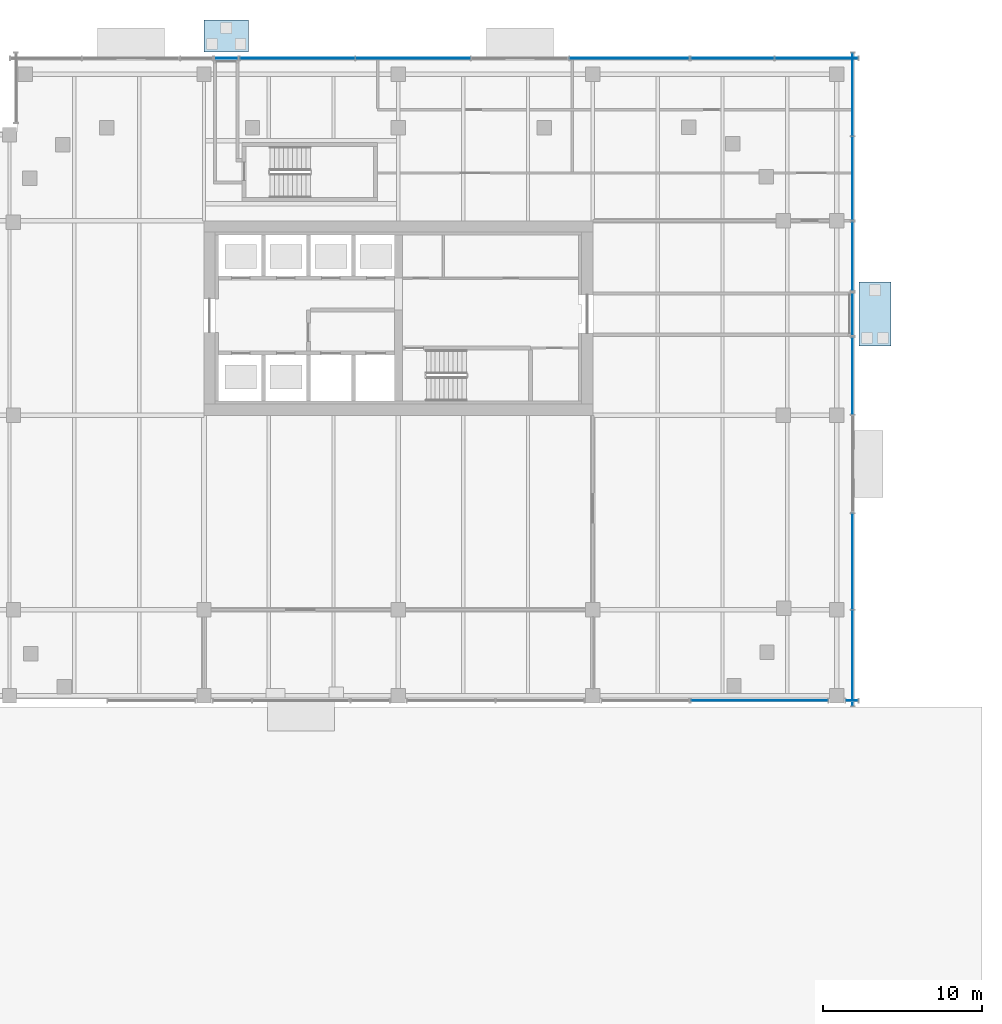
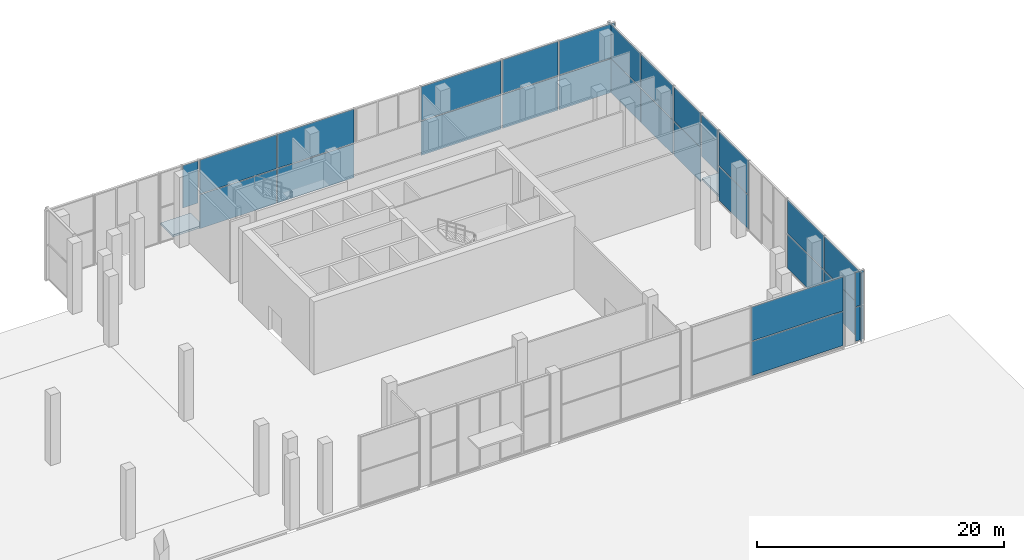
# One storey, part 16 of 36: 28 plates, 2 slabs, 11 elements without a shape of their own.
"""IFC4 building model written with IfcOpenShell, lengths in metres."""

from ifc_helpers import new_model, si_unit, direction, frame, origin, origin_2d, place, context, subcontext, project, spatial, polyline, rectangle, outline, extrude, material, layer, layer_set, type_object, element, aggregate, save


model = new_model("IFC4")

# Units and contexts
model_context = context("Model", 3, precision=1e-05, world=origin(), true_north=direction((0.0, 1.0)))
body_context = subcontext(model_context, "Body", "Model", "MODEL_VIEW")
ifc_project = project(units=[si_unit("LENGTHUNIT", "METRE"), si_unit("AREAUNIT", "SQUARE_METRE"), si_unit("VOLUMEUNIT", "CUBIC_METRE"), si_unit("PLANEANGLEUNIT", "RADIAN"), si_unit("MASSUNIT", "GRAM", prefix="KILO")], contexts=[model_context])

# Site, building, storey
site_placement = place(None, origin())
site = spatial("IfcSite", under=ifc_project, at=site_placement, CompositionType="ELEMENT")
building_placement = place(site_placement, origin())
building = spatial("IfcBuilding", under=site, at=building_placement, Name="Tessera Gate Towers", CompositionType="ELEMENT")
storey_placement = place(building_placement, origin())
storey = spatial("IfcBuildingStorey", under=building, at=storey_placement, Name="L00", CompositionType="ELEMENT", Elevation=0.0)

# Slabs
ifc_material_1 = material(Name="Concrete C30/37", Category="concrete")
ifc_layer_1 = layer(ifc_material_1, 0.199951171875)
ifc_layer_set_1 = layer_set([ifc_layer_1], Name="PLAZA PAVING 200")
slab_type = type_object("IfcSlabType", Name="PLAZA PAVING 200", PredefinedType="USERDEFINED", material=ifc_layer_set_1)
slab_1_placement = place(storey_placement, frame((0.0, 0.0, -0.199951171875)))
element("IfcSlab", 1, at=slab_1_placement, inside=storey, type_object=slab_type, Name="Plaza paving", ObjectType="PAVING", PredefinedType="USERDEFINED", context=body_context, shape_type="SweptSolid", body=[
    extrude(outline(polyline([(97.60009765625, 59.39990234375), (100.39990234375, 59.39990234375), (100.39990234375, 61.39990234375), (97.60009765625, 61.39990234375), (97.60009765625, 59.39990234375)])), origin(), (0.0, 0.0, 1.0), 0.199951171875),
])
slab_2_placement = place(storey_placement, frame((0.0, 0.0, -0.199951171875)))
element("IfcSlab", 2, at=slab_2_placement, inside=storey, type_object=slab_type, Name="Plaza paving", ObjectType="PAVING", PredefinedType="USERDEFINED", context=body_context, shape_type="SweptSolid", body=[
    extrude(outline(polyline([(138.699951171875, 40.949951171875), (140.699951171875, 40.949951171875), (140.699951171875, 44.949951171875), (138.699951171875, 44.949951171875), (138.699951171875, 40.949951171875)])), origin(), (0.0, 0.0, 1.0), 0.199951171875),
])

# Curtain wall, plates
ifc_material_2 = material(Name="Aluminium frame", Category="aluminium")
curtain_wall_type = type_object("IfcCurtainWallType", Name="CW-S6 ground floor glazing", PredefinedType="NOTDEFINED", material=ifc_material_2)
curtain_wall_1_placement = place(storey_placement, origin())
curtain_wall_1 = element("IfcCurtainWall", 3, at=curtain_wall_1_placement, inside=storey, type_object=curtain_wall_type, Name="Curtain wall ground floor glazing 0169", PredefinedType="NOTDEFINED")
ifc_material_3 = material(Name="Low-e laminated glass", Category="glass")
ifc_layer_2 = layer(ifc_material_3, 0.035888671875)
ifc_layer_set_2 = layer_set([ifc_layer_2], Name="PN-S6 glass panel 36")
plate_type = type_object("IfcPlateType", Name="PN-S6 glass panel 36", PredefinedType="CURTAIN_PANEL", material=ifc_layer_set_2)
plate_1_placement = place(storey_placement, frame((132.455078125, 18.699951171875, 0.080078125), z_axis=(0.0, 0.0, 1.0), x_axis=(1.0, 0.0, 0.0)))
plate_1 = element("IfcPlate", 4, at=plate_1_placement, type_object=plate_type, Name="PD-CW6-0169 panel 1.1", PredefinedType="CURTAIN_PANEL", context=body_context, shape_type="SweptSolid", body=[
    extrude(rectangle(XDim=8.550048828125, YDim=0.035888671875, at=origin_2d()), origin(), (0.0, 0.0, 1.0), 3.35498046875),
])
plate_2_placement = place(storey_placement, frame((132.455078125, 18.699951171875, 3.514892578125), z_axis=(0.0, 0.0, 1.0), x_axis=(1.0, 0.0, 0.0)))
plate_2 = element("IfcPlate", 5, at=plate_2_placement, type_object=plate_type, Name="PD-CW6-0169 panel 1.2", PredefinedType="CURTAIN_PANEL", context=body_context, shape_type="SweptSolid", body=[
    extrude(rectangle(XDim=8.550048828125, YDim=0.035888671875, at=origin_2d()), origin(), (0.0, 0.0, 1.0), 3.35498046875),
])
aggregate(curtain_wall_1, [plate_1, plate_2])

curtain_wall_2_placement = place(storey_placement, origin())
curtain_wall_2 = element("IfcCurtainWall", 6, at=curtain_wall_2_placement, inside=storey, type_object=curtain_wall_type, Name="Curtain wall ground floor glazing 0170", PredefinedType="NOTDEFINED")
plate_3_placement = place(storey_placement, frame((138.2451171875, 18.699951171875, 0.080078125), z_axis=(0.0, 0.0, 1.0), x_axis=(1.0, 0.0, 0.0)))
plate_3 = element("IfcPlate", 7, at=plate_3_placement, type_object=plate_type, Name="PD-CW6-0170 panel 1.1", PredefinedType="CURTAIN_PANEL", context=body_context, shape_type="SweptSolid", body=[
    extrude(rectangle(XDim=0.75, YDim=0.035888671875, at=origin_2d()), origin(), (0.0, 0.0, 1.0), 3.35498046875),
])
plate_4_placement = place(storey_placement, frame((138.2451171875, 18.699951171875, 3.514892578125), z_axis=(0.0, 0.0, 1.0), x_axis=(1.0, 0.0, 0.0)))
plate_4 = element("IfcPlate", 8, at=plate_4_placement, type_object=plate_type, Name="PD-CW6-0170 panel 1.2", PredefinedType="CURTAIN_PANEL", context=body_context, shape_type="SweptSolid", body=[
    extrude(rectangle(XDim=0.75, YDim=0.035888671875, at=origin_2d()), origin(), (0.0, 0.0, 1.0), 3.35498046875),
])
aggregate(curtain_wall_2, [plate_3, plate_4])

curtain_wall_3_placement = place(storey_placement, origin())
curtain_wall_3 = element("IfcCurtainWall", 9, at=curtain_wall_3_placement, inside=storey, type_object=curtain_wall_type, Name="Curtain wall ground floor glazing 0175", PredefinedType="NOTDEFINED")
plate_5_placement = place(storey_placement, frame((138.300048828125, 21.3701171875, 0.080078125), z_axis=(0.0, 0.0, 1.0), x_axis=(0.0, 1.0, 0.0)))
plate_5 = element("IfcPlate", 10, at=plate_5_placement, type_object=plate_type, Name="PD-CW6-0175 panel 1.1", PredefinedType="CURTAIN_PANEL", context=body_context, shape_type="SweptSolid", body=[
    extrude(rectangle(XDim=5.97998046875, YDim=0.035888671875, at=origin_2d()), origin(), (0.0, 0.0, 1.0), 3.35498046875),
])
plate_6_placement = place(storey_placement, frame((138.300048828125, 21.3701171875, 3.514892578125), z_axis=(0.0, 0.0, 1.0), x_axis=(0.0, 1.0, 0.0)))
plate_6 = element("IfcPlate", 11, at=plate_6_placement, type_object=plate_type, Name="PD-CW6-0175 panel 1.2", PredefinedType="CURTAIN_PANEL", context=body_context, shape_type="SweptSolid", body=[
    extrude(rectangle(XDim=5.97998046875, YDim=0.035888671875, at=origin_2d()), origin(), (0.0, 0.0, 1.0), 3.35498046875),
])
plate_7_placement = place(storey_placement, frame((138.300048828125, 27.429931640625, 0.080078125), z_axis=(0.0, 0.0, 1.0), x_axis=(0.0, 1.0, 0.0)))
plate_7 = element("IfcPlate", 12, at=plate_7_placement, type_object=plate_type, Name="PD-CW6-0175 panel 2.1", PredefinedType="CURTAIN_PANEL", context=body_context, shape_type="SweptSolid", body=[
    extrude(rectangle(XDim=5.97998046875, YDim=0.035888671875, at=origin_2d()), origin(), (0.0, 0.0, 1.0), 3.35498046875),
])
plate_8_placement = place(storey_placement, frame((138.300048828125, 27.429931640625, 3.514892578125), z_axis=(0.0, 0.0, 1.0), x_axis=(0.0, 1.0, 0.0)))
plate_8 = element("IfcPlate", 13, at=plate_8_placement, type_object=plate_type, Name="PD-CW6-0175 panel 2.2", PredefinedType="CURTAIN_PANEL", context=body_context, shape_type="SweptSolid", body=[
    extrude(rectangle(XDim=5.97998046875, YDim=0.035888671875, at=origin_2d()), origin(), (0.0, 0.0, 1.0), 3.35498046875),
])
aggregate(curtain_wall_3, [plate_5, plate_6, plate_7, plate_8])

curtain_wall_4_placement = place(storey_placement, origin())
curtain_wall_4 = element("IfcCurtainWall", 14, at=curtain_wall_4_placement, inside=storey, type_object=curtain_wall_type, Name="Curtain wall ground floor glazing 0176", PredefinedType="NOTDEFINED")
plate_9_placement = place(storey_placement, frame((138.300048828125, 39.074951171875, 0.080078125), z_axis=(0.0, 0.0, 1.0), x_axis=(0.0, 1.0, 0.0)))
plate_9 = element("IfcPlate", 15, at=plate_9_placement, type_object=plate_type, Name="PD-CW6-0176 panel 1.1", PredefinedType="CURTAIN_PANEL", context=body_context, shape_type="SweptSolid", body=[
    extrude(rectangle(XDim=4.7900390625, YDim=0.035888671875, at=origin_2d()), origin(), (0.0, 0.0, 1.0), 3.35498046875),
])
plate_10_placement = place(storey_placement, frame((138.300048828125, 39.074951171875, 3.514892578125), z_axis=(0.0, 0.0, 1.0), x_axis=(0.0, 1.0, 0.0)))
plate_10 = element("IfcPlate", 16, at=plate_10_placement, type_object=plate_type, Name="PD-CW6-0176 panel 1.2", PredefinedType="CURTAIN_PANEL", context=body_context, shape_type="SweptSolid", body=[
    extrude(rectangle(XDim=4.7900390625, YDim=0.035888671875, at=origin_2d()), origin(), (0.0, 0.0, 1.0), 3.35498046875),
])
aggregate(curtain_wall_4, [plate_9, plate_10])

# Curtain wall, plate
curtain_wall_5_placement = place(storey_placement, origin())
curtain_wall_5 = element("IfcCurtainWall", 17, at=curtain_wall_5_placement, inside=storey, type_object=curtain_wall_type, Name="Curtain wall ground floor glazing 0177", PredefinedType="NOTDEFINED")
plate_11_placement = place(storey_placement, frame((138.300048828125, 42.949951171875, 2.679931640625), z_axis=(0.0, 0.0, 1.0), x_axis=(0.0, 1.0, 0.0)))
plate_11 = element("IfcPlate", 18, at=plate_11_placement, type_object=plate_type, Name="PD-CW6-0177 panel 1.1", PredefinedType="CURTAIN_PANEL", context=body_context, shape_type="SweptSolid", body=[
    extrude(rectangle(XDim=2.639892578125, YDim=0.035888671875, at=origin_2d()), origin(), (0.0, 0.0, 1.0), 4.18994140625),
])
aggregate(curtain_wall_5, [plate_11])

# Curtain wall, plates
curtain_wall_6_placement = place(storey_placement, origin())
curtain_wall_6 = element("IfcCurtainWall", 19, at=curtain_wall_6_placement, inside=storey, type_object=curtain_wall_type, Name="Curtain wall ground floor glazing 0178", PredefinedType="NOTDEFINED")
plate_12_placement = place(storey_placement, frame((138.300048828125, 46.574951171875, 0.080078125), z_axis=(0.0, 0.0, 1.0), x_axis=(0.0, 1.0, 0.0)))
plate_12 = element("IfcPlate", 20, at=plate_12_placement, type_object=plate_type, Name="PD-CW6-0178 panel 1.1", PredefinedType="CURTAIN_PANEL", context=body_context, shape_type="SweptSolid", body=[
    extrude(rectangle(XDim=4.2900390625, YDim=0.035888671875, at=origin_2d()), origin(), (0.0, 0.0, 1.0), 3.35498046875),
])
plate_13_placement = place(storey_placement, frame((138.300048828125, 46.574951171875, 3.514892578125), z_axis=(0.0, 0.0, 1.0), x_axis=(0.0, 1.0, 0.0)))
plate_13 = element("IfcPlate", 21, at=plate_13_placement, type_object=plate_type, Name="PD-CW6-0178 panel 1.2", PredefinedType="CURTAIN_PANEL", context=body_context, shape_type="SweptSolid", body=[
    extrude(rectangle(XDim=4.2900390625, YDim=0.035888671875, at=origin_2d()), origin(), (0.0, 0.0, 1.0), 3.35498046875),
])
aggregate(curtain_wall_6, [plate_12, plate_13])

curtain_wall_7_placement = place(storey_placement, origin())
curtain_wall_7 = element("IfcCurtainWall", 22, at=curtain_wall_7_placement, inside=storey, type_object=curtain_wall_type, Name="Curtain wall ground floor glazing 0181", PredefinedType="NOTDEFINED")
plate_14_placement = place(storey_placement, frame((138.300048828125, 51.469970703125, 0.080078125), z_axis=(0.0, 0.0, 1.0), x_axis=(0.0, 1.0, 0.0)))
plate_14 = element("IfcPlate", 23, at=plate_14_placement, type_object=plate_type, Name="PD-CW6-0181 panel 1.1", PredefinedType="CURTAIN_PANEL", context=body_context, shape_type="SweptSolid", body=[
    extrude(rectangle(XDim=5.179931640625, YDim=0.035888671875, at=origin_2d()), origin(), (0.0, 0.0, 1.0), 3.35498046875),
])
plate_15_placement = place(storey_placement, frame((138.300048828125, 51.469970703125, 3.514892578125), z_axis=(0.0, 0.0, 1.0), x_axis=(0.0, 1.0, 0.0)))
plate_15 = element("IfcPlate", 24, at=plate_15_placement, type_object=plate_type, Name="PD-CW6-0181 panel 1.2", PredefinedType="CURTAIN_PANEL", context=body_context, shape_type="SweptSolid", body=[
    extrude(rectangle(XDim=5.179931640625, YDim=0.035888671875, at=origin_2d()), origin(), (0.0, 0.0, 1.0), 3.35498046875),
])
plate_16_placement = place(storey_placement, frame((138.300048828125, 56.72998046875, 0.080078125), z_axis=(0.0, 0.0, 1.0), x_axis=(0.0, 1.0, 0.0)))
plate_16 = element("IfcPlate", 25, at=plate_16_placement, type_object=plate_type, Name="PD-CW6-0181 panel 2.1", PredefinedType="CURTAIN_PANEL", context=body_context, shape_type="SweptSolid", body=[
    extrude(rectangle(XDim=5.179931640625, YDim=0.035888671875, at=origin_2d()), origin(), (0.0, 0.0, 1.0), 3.35498046875),
])
plate_17_placement = place(storey_placement, frame((138.300048828125, 56.72998046875, 3.514892578125), z_axis=(0.0, 0.0, 1.0), x_axis=(0.0, 1.0, 0.0)))
plate_17 = element("IfcPlate", 26, at=plate_17_placement, type_object=plate_type, Name="PD-CW6-0181 panel 2.2", PredefinedType="CURTAIN_PANEL", context=body_context, shape_type="SweptSolid", body=[
    extrude(rectangle(XDim=5.179931640625, YDim=0.035888671875, at=origin_2d()), origin(), (0.0, 0.0, 1.0), 3.35498046875),
])
aggregate(curtain_wall_7, [plate_14, plate_15, plate_16, plate_17])

curtain_wall_8_placement = place(storey_placement, origin())
curtain_wall_8 = element("IfcCurtainWall", 27, at=curtain_wall_8_placement, inside=storey, type_object=curtain_wall_type, Name="Curtain wall ground floor glazing 0184", PredefinedType="NOTDEFINED")
plate_18_placement = place(storey_placement, frame((136.030029296875, 59.0, 0.080078125), z_axis=(0.0, 0.0, 1.0), x_axis=(-1.0, 0.0, 0.0)))
plate_18 = element("IfcPlate", 28, at=plate_18_placement, type_object=plate_type, Name="PD-CW6-0184 panel 1.1", PredefinedType="CURTAIN_PANEL", context=body_context, shape_type="SweptSolid", body=[
    extrude(rectangle(XDim=5.179931640625, YDim=0.035888671875, at=origin_2d()), origin(), (0.0, 0.0, 1.0), 3.35498046875),
])
plate_19_placement = place(storey_placement, frame((136.030029296875, 59.0, 3.514892578125), z_axis=(0.0, 0.0, 1.0), x_axis=(-1.0, 0.0, 0.0)))
plate_19 = element("IfcPlate", 29, at=plate_19_placement, type_object=plate_type, Name="PD-CW6-0184 panel 1.2", PredefinedType="CURTAIN_PANEL", context=body_context, shape_type="SweptSolid", body=[
    extrude(rectangle(XDim=5.179931640625, YDim=0.035888671875, at=origin_2d()), origin(), (0.0, 0.0, 1.0), 3.35498046875),
])
plate_20_placement = place(storey_placement, frame((130.77001953125, 59.0, 0.080078125), z_axis=(0.0, 0.0, 1.0), x_axis=(-1.0, 0.0, 0.0)))
plate_20 = element("IfcPlate", 30, at=plate_20_placement, type_object=plate_type, Name="PD-CW6-0184 panel 2.1", PredefinedType="CURTAIN_PANEL", context=body_context, shape_type="SweptSolid", body=[
    extrude(rectangle(XDim=5.179931640625, YDim=0.035888671875, at=origin_2d()), origin(), (0.0, 0.0, 1.0), 3.35498046875),
])
plate_21_placement = place(storey_placement, frame((130.77001953125, 59.0, 3.514892578125), z_axis=(0.0, 0.0, 1.0), x_axis=(-1.0, 0.0, 0.0)))
plate_21 = element("IfcPlate", 31, at=plate_21_placement, type_object=plate_type, Name="PD-CW6-0184 panel 2.2", PredefinedType="CURTAIN_PANEL", context=body_context, shape_type="SweptSolid", body=[
    extrude(rectangle(XDim=5.179931640625, YDim=0.035888671875, at=origin_2d()), origin(), (0.0, 0.0, 1.0), 3.35498046875),
])
aggregate(curtain_wall_8, [plate_18, plate_19, plate_20, plate_21])

curtain_wall_9_placement = place(storey_placement, origin())
curtain_wall_9 = element("IfcCurtainWall", 32, at=curtain_wall_9_placement, inside=storey, type_object=curtain_wall_type, Name="Curtain wall ground floor glazing 0187", PredefinedType="NOTDEFINED")
plate_22_placement = place(storey_placement, frame((124.28759765625, 59.0, 0.080078125), z_axis=(0.0, 0.0, 1.0), x_axis=(-1.0, 0.0, 0.0)))
plate_22 = element("IfcPlate", 33, at=plate_22_placement, type_object=plate_type, Name="PD-CW6-0187 panel 1.1", PredefinedType="CURTAIN_PANEL", context=body_context, shape_type="SweptSolid", body=[
    extrude(rectangle(XDim=7.465087890625, YDim=0.035888671875, at=origin_2d()), origin(), (0.0, 0.0, 1.0), 3.35498046875),
])
plate_23_placement = place(storey_placement, frame((124.28759765625, 59.0, 3.514892578125), z_axis=(0.0, 0.0, 1.0), x_axis=(-1.0, 0.0, 0.0)))
plate_23 = element("IfcPlate", 34, at=plate_23_placement, type_object=plate_type, Name="PD-CW6-0187 panel 1.2", PredefinedType="CURTAIN_PANEL", context=body_context, shape_type="SweptSolid", body=[
    extrude(rectangle(XDim=7.465087890625, YDim=0.035888671875, at=origin_2d()), origin(), (0.0, 0.0, 1.0), 3.35498046875),
])
aggregate(curtain_wall_9, [plate_22, plate_23])

curtain_wall_10_placement = place(storey_placement, origin())
curtain_wall_10 = element("IfcCurtainWall", 35, at=curtain_wall_10_placement, inside=storey, type_object=curtain_wall_type, Name="Curtain wall ground floor glazing 0188", PredefinedType="NOTDEFINED")
plate_24_placement = place(storey_placement, frame((110.711181640625, 59.0, 0.080078125), z_axis=(0.0, 0.0, 1.0), x_axis=(-1.0, 0.0, 0.0)))
plate_24 = element("IfcPlate", 36, at=plate_24_placement, type_object=plate_type, Name="PD-CW6-0188 panel 1.1", PredefinedType="CURTAIN_PANEL", context=body_context, shape_type="SweptSolid", body=[
    extrude(rectangle(XDim=7.16748046875, YDim=0.035888671875, at=origin_2d()), origin(), (0.0, 0.0, 1.0), 3.35498046875),
])
plate_25_placement = place(storey_placement, frame((110.711181640625, 59.0, 3.514892578125), z_axis=(0.0, 0.0, 1.0), x_axis=(-1.0, 0.0, 0.0)))
plate_25 = element("IfcPlate", 37, at=plate_25_placement, type_object=plate_type, Name="PD-CW6-0188 panel 1.2", PredefinedType="CURTAIN_PANEL", context=body_context, shape_type="SweptSolid", body=[
    extrude(rectangle(XDim=7.16748046875, YDim=0.035888671875, at=origin_2d()), origin(), (0.0, 0.0, 1.0), 3.35498046875),
])
plate_26_placement = place(storey_placement, frame((103.4638671875, 59.0, 0.080078125), z_axis=(0.0, 0.0, 1.0), x_axis=(-1.0, 0.0, 0.0)))
plate_26 = element("IfcPlate", 38, at=plate_26_placement, type_object=plate_type, Name="PD-CW6-0188 panel 2.1", PredefinedType="CURTAIN_PANEL", context=body_context, shape_type="SweptSolid", body=[
    extrude(rectangle(XDim=7.16748046875, YDim=0.035888671875, at=origin_2d()), origin(), (0.0, 0.0, 1.0), 3.35498046875),
])
plate_27_placement = place(storey_placement, frame((103.4638671875, 59.0, 3.514892578125), z_axis=(0.0, 0.0, 1.0), x_axis=(-1.0, 0.0, 0.0)))
plate_27 = element("IfcPlate", 39, at=plate_27_placement, type_object=plate_type, Name="PD-CW6-0188 panel 2.2", PredefinedType="CURTAIN_PANEL", context=body_context, shape_type="SweptSolid", body=[
    extrude(rectangle(XDim=7.16748046875, YDim=0.035888671875, at=origin_2d()), origin(), (0.0, 0.0, 1.0), 3.35498046875),
])
aggregate(curtain_wall_10, [plate_24, plate_25, plate_26, plate_27])

# Curtain wall, plate
curtain_wall_11_placement = place(storey_placement, origin())
curtain_wall_11 = element("IfcCurtainWall", 40, at=curtain_wall_11_placement, inside=storey, type_object=curtain_wall_type, Name="Curtain wall ground floor glazing 0189", PredefinedType="NOTDEFINED")
plate_28_placement = place(storey_placement, frame((99.0, 59.0, 2.679931640625), z_axis=(0.0, 0.0, 1.0), x_axis=(-1.0, 0.0, 0.0)))
plate_28 = element("IfcPlate", 41, at=plate_28_placement, type_object=plate_type, Name="PD-CW6-0189 panel 1.1", PredefinedType="CURTAIN_PANEL", context=body_context, shape_type="SweptSolid", body=[
    extrude(rectangle(XDim=1.43994140625, YDim=0.035888671875, at=origin_2d()), origin(), (0.0, 0.0, 1.0), 4.18994140625),
])
aggregate(curtain_wall_11, [plate_28])

save(model, "model.ifc")
